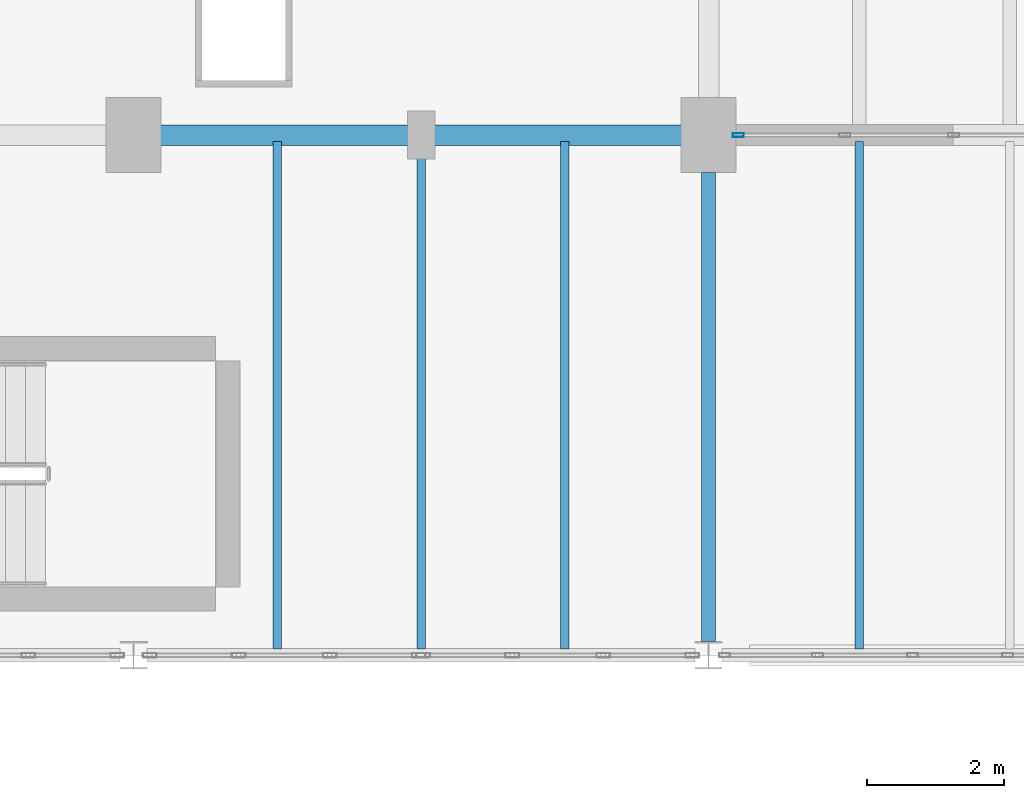
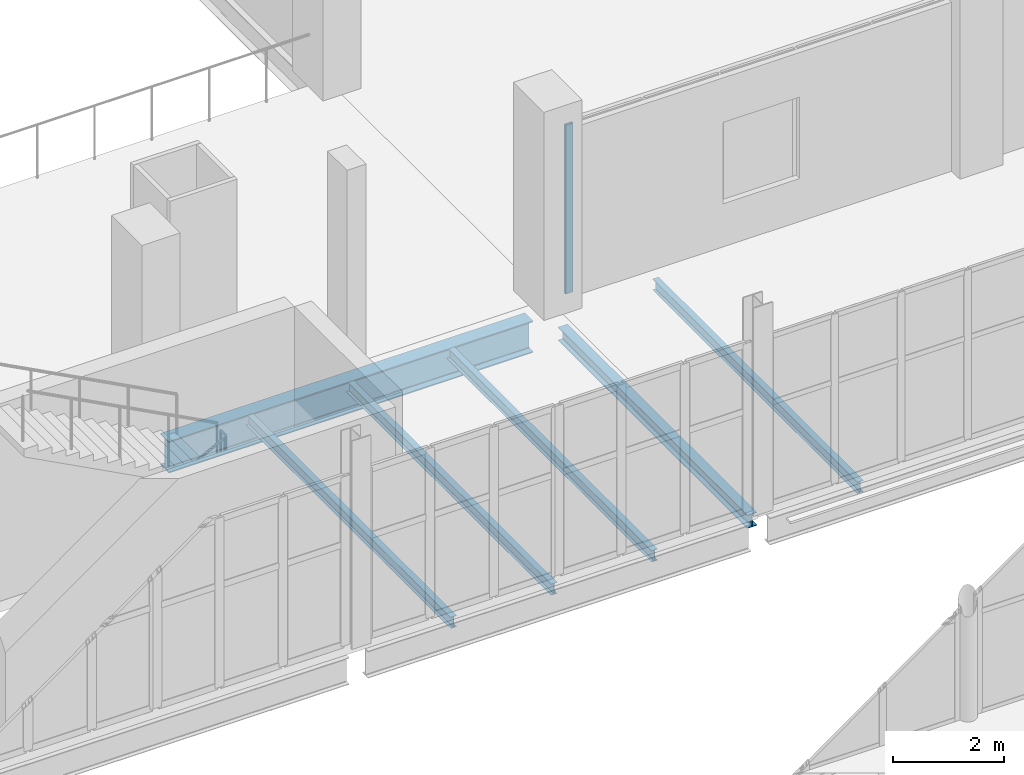
# One storey, part 82 of 172: 6 beams, 1 member, 1 element without a shape of its own.
"""IFC4 building model written with IfcOpenShell, lengths in metres."""

from ifc_helpers import new_model, si_unit, direction, frame, origin, origin_2d, place, context, subcontext, project, spatial, hollow_rectangle, i_section, extrude, material, material_profile, profile_set, type_object, element, aggregate, save


model = new_model("IFC4")

# Units and contexts
model_context = context("Model", 3, precision=1e-05, world=origin(), true_north=direction((0.0, 1.0)))
body_context = subcontext(model_context, "Body", "Model", "MODEL_VIEW")
ifc_project = project(units=[si_unit("LENGTHUNIT", "METRE"), si_unit("AREAUNIT", "SQUARE_METRE"), si_unit("VOLUMEUNIT", "CUBIC_METRE"), si_unit("PLANEANGLEUNIT", "RADIAN"), si_unit("MASSUNIT", "GRAM", prefix="KILO")], contexts=[model_context])

# Site, building, storey
site_placement = place(None, origin())
site = spatial("IfcSite", under=ifc_project, at=site_placement, CompositionType="ELEMENT")
building_placement = place(site_placement, origin())
building = spatial("IfcBuilding", under=site, at=building_placement, Name="Shengluoqiao Park Theatre", CompositionType="ELEMENT")
storey_placement = place(building_placement, frame((0.0, 0.0, 5.39990234375)))
storey = spatial("IfcBuildingStorey", under=building, at=storey_placement, Name="L01", CompositionType="ELEMENT", Elevation=5.39990234375)

# Curtain wall, member
ifc_material_1 = material(Name="Aluminium 6063-T6", Category="aluminium")
curtain_wall_type = type_object("IfcCurtainWallType", Name="ENV-CW-BRIDGE", PredefinedType="NOTDEFINED", material=ifc_material_1)
curtain_wall_placement = place(storey_placement, origin())
curtain_wall = element("IfcCurtainWall", 1, at=curtain_wall_placement, inside=storey, type_object=curtain_wall_type, Name="L01 Curtain Wall CWX-L01-0099", PredefinedType="NOTDEFINED")
ifc_material_profile_1 = material_profile(ifc_material_1, hollow_rectangle(XDim=0.06005859375, YDim=0.159912109375, WallThickness=0.00390625, InnerFilletRadius=0.00390625, OuterFilletRadius=0.008056640625, at=origin_2d()), Name="ALU MULLION 160x60x4")
ifc_profile_set_1 = profile_set([ifc_material_profile_1], Name="Aluminium 6063-T6")
member_type = type_object("IfcMemberType", Name="ENV-MUL-160", PredefinedType="MULLION", material=ifc_profile_set_1)
member_placement = place(storey_placement, frame((86.833984375, 76.0, 0.0), z_axis=(0.0, 0.0, 1.0), x_axis=(0.0, 1.0, 0.0)))
member = element("IfcMember", 2, at=member_placement, type_object=member_type, Name="CW-03 mullion 1", PredefinedType="MULLION", context=body_context, shape_type="SweptSolid", body=[
    extrude(hollow_rectangle(XDim=0.06005859375, YDim=0.159912109375, WallThickness=0.00390625, InnerFilletRadius=0.00390625, OuterFilletRadius=0.008056640625, at=origin_2d()), origin(), (0.0, 0.0, 1.0), 3.732177734375),
])
aggregate(curtain_wall, [member])

# Beams
ifc_material_2 = material(Name="Steel Q355", Category="steel")
ifc_material_profile_2 = material_profile(ifc_material_2, i_section(OverallWidth=0.199951171875, OverallDepth=0.2939453125, WebThickness=0.008056640625, FlangeThickness=0.011962890625, FilletRadius=0.01611328125, at=origin_2d()), Name="HM 294x200x8x12")
ifc_profile_set_2 = profile_set([ifc_material_profile_2], Name="Steel Q355")
beam_type_1 = type_object("IfcBeamType", Name="STR-BM-G-HM294", PredefinedType="BEAM", material=ifc_profile_set_2)
beam_1_placement = place(storey_placement, frame((86.39990234375, 68.60107421875, -0.39697265625), z_axis=(0.0, 1.0, 0.0), x_axis=(-1.0, 0.0, 0.0)))
element("IfcBeam", 3, at=beam_1_placement, inside=storey, type_object=beam_type_1, Name="L01 Transverse Girder 00505", PredefinedType="BEAM", context=body_context, shape_type="SweptSolid", body=[
    extrude(i_section(OverallWidth=0.199951171875, OverallDepth=0.2939453125, WebThickness=0.008056640625, FlangeThickness=0.011962890625, FilletRadius=0.01611328125, at=origin_2d()), origin(), (0.0, 0.0, 1.0), 6.85498046875),
])
ifc_material_3 = material(Name="Steel Q390", Category="steel")
ifc_material_profile_3 = material_profile(ifc_material_3, i_section(OverallWidth=0.300048828125, OverallDepth=0.699951171875, WebThickness=0.012939453125, FlangeThickness=0.02392578125, FilletRadius=0.02392578125, at=origin_2d()), Name="HN 700x300x13x24")
ifc_profile_set_3 = profile_set([ifc_material_profile_3], Name="Steel Q390")
beam_type_2 = type_object("IfcBeamType", Name="STR-BM-G-HN700", PredefinedType="BEAM", material=ifc_profile_set_3)
beam_2_placement = place(storey_placement, frame((78.39404296875, 76.0, -0.599853515625), z_axis=(1.0, 0.0, 0.0), x_axis=(0.0, 1.0, 0.0)))
element("IfcBeam", 4, at=beam_2_placement, inside=storey, type_object=beam_type_2, Name="L01 Primary Girder 00317", PredefinedType="BEAM", context=body_context, shape_type="SweptSolid", body=[
    extrude(i_section(OverallWidth=0.300048828125, OverallDepth=0.699951171875, WebThickness=0.012939453125, FlangeThickness=0.02392578125, FilletRadius=0.02392578125, at=origin_2d()), origin(), (0.0, 0.0, 1.0), 7.612060546875),
])
ifc_material_profile_4 = material_profile(ifc_material_2, i_section(OverallWidth=0.125, OverallDepth=0.25, WebThickness=0.006103515625, FlangeThickness=0.009033203125, FilletRadius=0.010009765625, at=origin_2d()), Name="HN 250x125x6x9")
ifc_profile_set_4 = profile_set([ifc_material_profile_4], Name="Steel Q355")
beam_type_3 = type_object("IfcBeamType", Name="STR-BM-J-HN250", PredefinedType="JOIST", material=ifc_profile_set_4)
for number, where, z_axis, x_axis, name in (
    (5, (80.10009765625, 68.494384765625, -0.375), (0.0, 1.0, 0.0), (-1.0, 0.0, 0.0), "L01 Composite Joist 00513"),
    (6, (82.199951171875, 68.494384765625, -0.375), (0.0, 1.0, 0.0), (-1.0, 0.0, 0.0), "L01 Composite Joist 00514"),
    (7, (84.300048828125, 68.494384765625, -0.375), (0.0, 1.0, 0.0), (-1.0, 0.0, 0.0), "L01 Composite Joist 00515"),
    (8, (88.60009765625, 68.494384765625, -0.364990234375), (0.0, 1.0, 0.0), (-1.0, 0.0, 0.0), "L01 Composite Joist 00537"),
):
    element("IfcBeam", number, at=place(storey_placement, frame(where, z_axis=z_axis, x_axis=x_axis)), inside=storey, type_object=beam_type_3, Name=name, PredefinedType="JOIST", context=body_context, shape_type="SweptSolid", body=[
        extrude(i_section(OverallWidth=0.125, OverallDepth=0.25, WebThickness=0.006103515625, FlangeThickness=0.009033203125, FilletRadius=0.010009765625, at=origin_2d()), origin(), (0.0, 0.0, 1.0), 7.4111328125),
    ])

save(model, "model.ifc")
